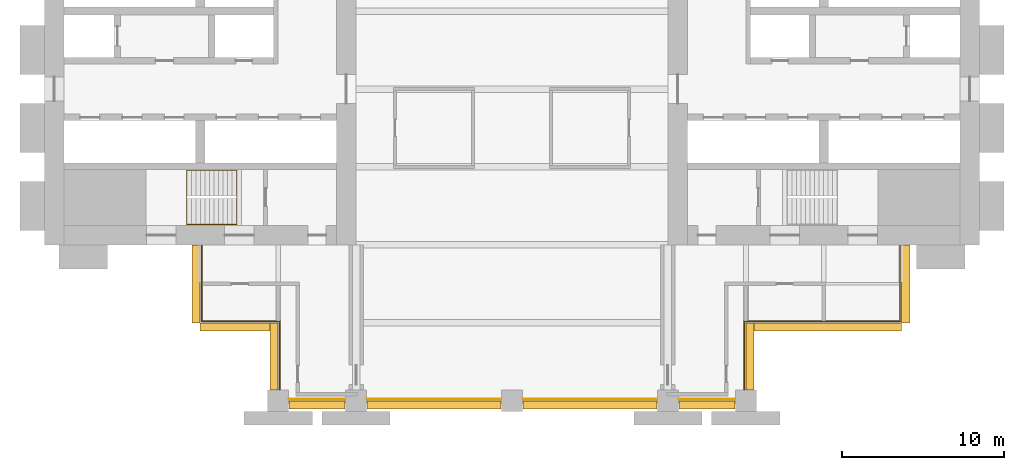
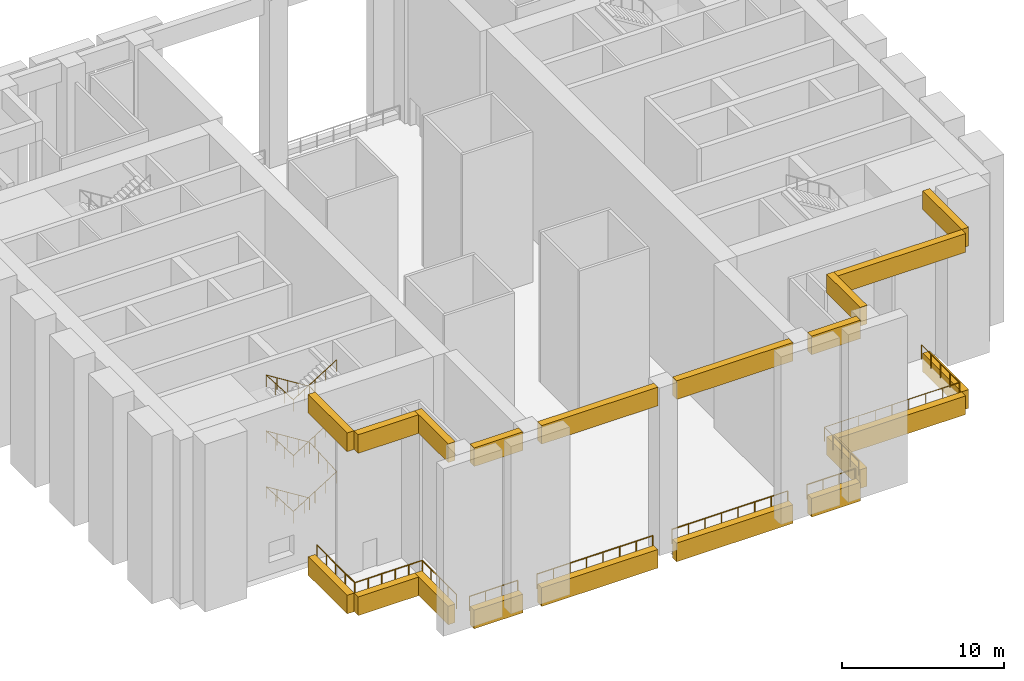
# One storey, part 8 of 10: 20 coverings, 7 railings.
"""IFC4 building model written with IfcOpenShell, lengths in metres."""

import ifcopenshell
import ifcopenshell.guid

model = None  # the IFC model being written
_history = None  # IfcOwnerHistory: only IFC2X3 demands one
_inside = {}  # id of a spatial element -> (the spatial element, [elements in it])
_under = {}  # id of a project, library or spatial element -> (it, [spatial elements below it])
_declared = {}  # id of a project -> (the project, [libraries it declares])
_typed = {}  # id of a type object -> (the type object, [elements of that type])
_made_of = {}  # id of a material, layer set ... -> (it, [elements and type objects made of it])


def new_model(schema):
    """Start an empty IFC model of exactly this schema.

    Asked for "IFC4X3", IfcOpenShell would pick the latest addendum, in which some entities
    have other attributes; the version numbers below select the first issue.
    IFC2X3 requires an IfcOwnerHistory on every rooted entity: one is made here for all.
    """
    global model, _history
    if schema == "IFC4X3":
        model = ifcopenshell.file(schema_version=(4, 3, 0, 0))
    else:
        model = ifcopenshell.file(schema=schema)
    _inside.clear()
    _under.clear()
    _declared.clear()
    _typed.clear()
    _made_of.clear()
    _history = None
    if model.schema == "IFC2X3":
        org = make("IfcOrganization", Name="unknown")
        user = make(
            "IfcPersonAndOrganization",
            ThePerson=make("IfcPerson", FamilyName="unknown"),
            TheOrganization=org,
        )
        app = make(
            "IfcApplication",
            ApplicationDeveloper=org,
            Version="unknown",
            ApplicationFullName="unknown",
            ApplicationIdentifier="unknown",
        )
        _history = make(
            "IfcOwnerHistory",
            OwningUser=user,
            OwningApplication=app,
            ChangeAction="ADDED",
            CreationDate=0,
        )
    return model


def make(cls, **values):
    """One entity of the class cls with the attributes given. An attribute that is None is left unset."""
    return model.create_entity(
        cls, **{name: value for name, value in values.items() if value is not None}
    )


def rooted(cls, **values):
    """An entity with a GlobalId (a new one), such as an element, a storey or a relation."""
    return make(cls, GlobalId=ifcopenshell.guid.new(), OwnerHistory=_history, **values)


def si_unit(unit_type, name, prefix=None):
    """IfcSIUnit, for example si_unit("LENGTHUNIT", "METRE", prefix="MILLI")."""
    return make("IfcSIUnit", UnitType=unit_type, Prefix=prefix, Name=name)


def assignment(units):
    """IfcUnitAssignment: the units of a project."""
    return None if units is None else make("IfcUnitAssignment", Units=units)


def point(xyz):
    """IfcCartesianPoint."""
    return None if xyz is None else make("IfcCartesianPoint", Coordinates=xyz)


def direction(xyz):
    """IfcDirection."""
    return None if xyz is None else make("IfcDirection", DirectionRatios=xyz)


def frame(location, z_axis=None, x_axis=None):
    """IfcAxis2Placement3D, a coordinate frame: its origin and axes. An axis left out is left unset."""
    return make(
        "IfcAxis2Placement3D",
        Location=point(location),
        Axis=direction(z_axis),
        RefDirection=direction(x_axis),
    )


def frame_2d(location, x_axis=None):
    """IfcAxis2Placement2D, a coordinate frame in the plane: its origin and x axis."""
    return make(
        "IfcAxis2Placement2D", Location=point(location), RefDirection=direction(x_axis)
    )


def origin():
    """The frame at (0, 0, 0) with its axes left unset."""
    return frame((0.0, 0.0, 0.0))


def origin_2d():
    """The frame at (0, 0) in the plane with its x axis left unset."""
    return frame_2d((0.0, 0.0))


def place(relative_to, where):
    """IfcLocalPlacement: puts the frame where relative to a parent placement (None: the world)."""
    return make(
        "IfcLocalPlacement", PlacementRelTo=relative_to, RelativePlacement=where
    )


def context(
    kind, dimensions, precision=None, world=None, true_north=None, identifier=None
):
    """IfcGeometricRepresentationContext, for example the 3D "Model" context."""
    return make(
        "IfcGeometricRepresentationContext",
        ContextIdentifier=identifier,
        ContextType=kind,
        CoordinateSpaceDimension=dimensions,
        Precision=precision,
        WorldCoordinateSystem=world,
        TrueNorth=true_north,
    )


def subcontext(parent, identifier, kind, view, scale=None):
    """IfcGeometricRepresentationSubContext, for example "Body" below "Model"."""
    return make(
        "IfcGeometricRepresentationSubContext",
        ContextIdentifier=identifier,
        ContextType=kind,
        ParentContext=parent,
        TargetScale=scale,
        TargetView=view,
    )


def project(units=None, contexts=None):
    """IfcProject with its units and contexts."""
    return rooted(
        "IfcProject",
        Name="project",
        RepresentationContexts=contexts,
        UnitsInContext=assignment(units),
    )


def spatial(cls, under=None, at=None, **own):
    """A site, building, storey or space (cls), placed at a placement, below another one or the project."""
    s = rooted(cls, ObjectPlacement=at, **own)
    if under is not None:
        _under.setdefault(under.id(), (under, []))[1].append(s)
    return s


def polyline(points):
    """IfcPolyline through the points."""
    return make("IfcPolyline", Points=[point(p) for p in points])


def profile(cls, at=None, kind="AREA", **sizes):
    """A parametric profile (cls). Its sizes go by their IFC names, for example OverallWidth=200.0."""
    return make(cls, ProfileType=kind, Position=at, **sizes)


def circle(**sizes):
    """IfcCircleProfileDef."""
    return profile("IfcCircleProfileDef", **sizes)


def outline(outer, holes=None, kind="AREA"):
    """IfcArbitraryClosedProfileDef: a profile drawn as a closed curve; with holes, ...WithVoids."""
    if holes is None:
        return make("IfcArbitraryClosedProfileDef", ProfileType=kind, OuterCurve=outer)
    return make(
        "IfcArbitraryProfileDefWithVoids",
        ProfileType=kind,
        OuterCurve=outer,
        InnerCurves=holes,
    )


def extrude(swept, where, along, depth):
    """IfcExtrudedAreaSolid: the profile swept, set in the frame where, extruded along a direction by depth."""
    return make(
        "IfcExtrudedAreaSolid",
        SweptArea=swept,
        Position=where,
        ExtrudedDirection=direction(along),
        Depth=depth,
    )


def shape(context_of_items, identifier, shape_type, items):
    """IfcShapeRepresentation: the items that make up one representation, for example the "Body"."""
    return make(
        "IfcShapeRepresentation",
        ContextOfItems=context_of_items,
        RepresentationIdentifier=identifier,
        RepresentationType=shape_type,
        Items=items,
    )


def material(Name=None, Category=None):
    """IfcMaterial."""
    return make("IfcMaterial", Name=Name, Category=Category)


def made_of(thing, what):
    """Note that an element or type object is made of a material, layer set ...; save() writes the relation."""
    if what is not None:
        _made_of.setdefault(what.id(), (what, []))[1].append(thing)
    return thing


def type_object(cls, material=None, **own):
    """A type object (cls), such as IfcWallType, which elements share."""
    return made_of(rooted(cls, **own), material)


def element(
    cls,
    number,
    at=None,
    inside=None,
    cuts=None,
    type_object=None,
    material=None,
    context=None,
    identifier="Body",
    shape_type=None,
    held_by="IfcProductDefinitionShape",
    body=None,
    shapes=None,
    **own,
):
    """One element of the class cls, such as IfcWall. Its Tag is "e" and its number.

    at: its placement. inside: the storey or other place that contains it. cuts: it is an
    opening in that element (IfcRelVoidsElement). A single representation is given by context,
    identifier, shape_type and body (its items); several are given by shapes. held_by: the class
    of the entity that holds the representations. save() writes the other relations.
    """
    e = rooted(cls, Tag="e%d" % number, ObjectPlacement=at, **own)
    if body is not None:
        shapes = [shape(context, identifier, shape_type, body)]
    if shapes is not None:
        e.Representation = make(held_by, Representations=shapes)
    if inside is not None:
        _inside.setdefault(inside.id(), (inside, []))[1].append(e)
    if cuts is not None:
        rooted(
            "IfcRelVoidsElement", RelatingBuildingElement=cuts, RelatedOpeningElement=e
        )
    if type_object is not None:
        _typed.setdefault(type_object.id(), (type_object, []))[1].append(e)
    return made_of(e, material)


def aggregate(whole, parts):
    """IfcRelAggregates: a whole, such as a stair, and the parts it consists of."""
    return rooted("IfcRelAggregates", RelatingObject=whole, RelatedObjects=parts)


def save(model, path):
    """Write the relations noted so far, then the file.

    IfcRelAggregates (storeys below a building ...), IfcRelContainedInSpatialStructure (elements
    in a storey), IfcRelDefinesByType, IfcRelAssociatesMaterial and IfcRelDeclares: one each for
    every whole, place, type object, material and project.
    """
    for whole, parts in _under.values():
        aggregate(whole, parts)
    for where, things in _inside.values():
        rooted(
            "IfcRelContainedInSpatialStructure",
            RelatedElements=things,
            RelatingStructure=where,
        )
    for kind, things in _typed.values():
        rooted("IfcRelDefinesByType", RelatedObjects=things, RelatingType=kind)
    for what, things in _made_of.values():
        rooted("IfcRelAssociatesMaterial", RelatedObjects=things, RelatingMaterial=what)
    for by, libraries in _declared.values():
        rooted("IfcRelDeclares", RelatingContext=by, RelatedDefinitions=libraries)
    model.write(path)


model = new_model("IFC4")

# Units and contexts
model_context = context("Model", 3, precision=1e-05, world=origin(), true_north=direction((0.0, 1.0)))
body_context = subcontext(model_context, "Body", "Model", "MODEL_VIEW")
ifc_project = project(units=[si_unit("LENGTHUNIT", "METRE"), si_unit("AREAUNIT", "SQUARE_METRE"), si_unit("VOLUMEUNIT", "CUBIC_METRE"), si_unit("PLANEANGLEUNIT", "RADIAN"), si_unit("MASSUNIT", "GRAM", prefix="KILO")], contexts=[model_context])

# Site, building, storey
site_placement = place(None, origin())
site = spatial("IfcSite", under=ifc_project, at=site_placement, CompositionType="ELEMENT")
building_placement = place(site_placement, origin())
building = spatial("IfcBuilding", under=site, at=building_placement, Name="Baori Bourse Tower", CompositionType="ELEMENT")
storey_placement = place(building_placement, frame((0.0, 0.0, 91.5)))
storey = spatial("IfcBuildingStorey", under=building, at=storey_placement, Name="L20", CompositionType="ELEMENT", Elevation=91.5)

# Railing
ifc_material_1 = material(Name="Powder-coated steel balustrade", Category="steel")
railing_type_1 = type_object("IfcRailingType", Name="Core stair handrail", PredefinedType="HANDRAIL", material=ifc_material_1)
railing_1_placement = place(storey_placement, frame((11.85009765625, 14.199951171875, 0.175048828125)))
element("IfcRailing", 1, at=railing_1_placement, inside=storey, type_object=railing_type_1, Name="L20 ST1 stair handrail 1", PredefinedType="HANDRAIL", context=body_context, shape_type="SweptSolid", body=[
    extrude(circle(Radius=0.02392578125, at=origin_2d()), frame((0.0, 0.0, 0.8759765625), z_axis=(-0.847998304005, 0.0, 0.529998940003), x_axis=(0.0, -1.0, 0.0)), (0.0, 0.0, 1.0), 3.632080078125),
    extrude(circle(Radius=0.02392578125, at=origin_2d()), frame((-3.080078125, 0.0, 2.80078125), z_axis=(0.0, -0.998641252765, 0.052111882296), x_axis=(1.0, 0.0, 0.0)), (0.0, 0.0, 1.0), 3.3544921875),
    extrude(circle(Radius=0.02392578125, at=origin_2d()), frame((-3.080078125, -3.349853515625, 2.9755859375), z_axis=(0.847998304005, 0.0, 0.529998940003), x_axis=(0.0, 1.0, 0.0)), (0.0, 0.0, 1.0), 3.632080078125),
    extrude(circle(Radius=0.02392578125, at=origin_2d()), frame((0.0, -3.349853515625, 4.90087890625), z_axis=(0.0, 0.99863746249, 0.052184466191), x_axis=(-1.0, 0.0, 0.0)), (0.0, 0.0, 1.0), 3.3544921875),
    extrude(circle(Radius=0.02392578125, at=origin_2d()), frame((0.0, 0.0, 5.07568359375), z_axis=(-0.847998304005, 0.0, 0.529998940003), x_axis=(0.0, -1.0, 0.0)), (0.0, 0.0, 1.0), 3.632080078125),
    extrude(circle(Radius=0.02392578125, at=origin_2d()), frame((-3.080078125, 0.0, 7.0009765625), z_axis=(0.0, -0.99863746249, 0.052184466191), x_axis=(1.0, 0.0, 0.0)), (0.0, 0.0, 1.0), 3.3544921875),
    extrude(circle(Radius=0.02392578125, at=origin_2d()), frame((-3.080078125, -3.349853515625, 7.17578125), z_axis=(0.848028513186, 0.0, 0.529950602248), x_axis=(0.0, 1.0, 0.0)), (0.0, 0.0, 1.0), 3.632080078125),
    extrude(circle(Radius=0.02392578125, at=origin_2d()), frame((0.0, -3.349853515625, 9.1005859375), z_axis=(0.0, 0.99863746249, 0.052184466191), x_axis=(-1.0, 0.0, 0.0)), (0.0, 0.0, 1.0), 3.3544921875),
    extrude(circle(Radius=0.02392578125, at=origin_2d()), frame((0.0, 0.0, 9.27587890625), z_axis=(-0.847998304005, 0.0, 0.529998940003), x_axis=(0.0, -1.0, 0.0)), (0.0, 0.0, 1.0), 3.632080078125),
    extrude(circle(Radius=0.02392578125, at=origin_2d()), frame((-3.080078125, 0.0, 11.20068359375), z_axis=(0.0, -0.99863746249, 0.052184466191), x_axis=(1.0, 0.0, 0.0)), (0.0, 0.0, 1.0), 3.3544921875),
    extrude(circle(Radius=0.02392578125, at=origin_2d()), frame((-3.080078125, -3.349853515625, 11.3759765625), z_axis=(0.847998304005, 0.0, 0.529998940003), x_axis=(0.0, 1.0, 0.0)), (0.0, 0.0, 1.0), 3.632080078125),
    extrude(circle(Radius=0.02099609375, at=origin_2d()), origin(), (0.0, 0.0, 1.0), 0.851806640625),
    extrude(circle(Radius=0.02099609375, at=origin_2d()), frame((-0.77001953125, 0.0, 0.481201171875)), (0.0, 0.0, 1.0), 0.851806640625),
    extrude(circle(Radius=0.02099609375, at=origin_2d()), frame((-1.5400390625, 0.0, 0.96240234375)), (0.0, 0.0, 1.0), 0.851806640625),
    extrude(circle(Radius=0.02099609375, at=origin_2d()), frame((-2.31005859375, 0.0, 1.44384765625)), (0.0, 0.0, 1.0), 0.851806640625),
    extrude(circle(Radius=0.02099609375, at=origin_2d()), frame((-3.080078125, 0.0, 1.925048828125)), (0.0, 0.0, 1.0), 0.851806640625),
    extrude(circle(Radius=0.02099609375, at=origin_2d()), frame((-3.080078125, -1.11669921875, 1.9833984375)), (0.0, 0.0, 1.0), 0.851806640625),
    extrude(circle(Radius=0.02099609375, at=origin_2d()), frame((-3.080078125, -2.233154296875, 2.04150390625)), (0.0, 0.0, 1.0), 0.851806640625),
    extrude(circle(Radius=0.02099609375, at=origin_2d()), frame((-3.080078125, -3.349853515625, 2.099853515625)), (0.0, 0.0, 1.0), 0.851806640625),
    extrude(circle(Radius=0.02099609375, at=origin_2d()), frame((-2.31005859375, -3.349853515625, 2.5810546875)), (0.0, 0.0, 1.0), 0.851806640625),
    extrude(circle(Radius=0.02099609375, at=origin_2d()), frame((-1.5400390625, -3.349853515625, 3.0625)), (0.0, 0.0, 1.0), 0.851806640625),
    extrude(circle(Radius=0.02099609375, at=origin_2d()), frame((-0.77001953125, -3.349853515625, 3.543701171875)), (0.0, 0.0, 1.0), 0.851806640625),
    extrude(circle(Radius=0.02099609375, at=origin_2d()), frame((0.0, -3.349853515625, 4.02490234375)), (0.0, 0.0, 1.0), 0.851806640625),
    extrude(circle(Radius=0.02099609375, at=origin_2d()), frame((0.0, -2.233154296875, 4.083251953125)), (0.0, 0.0, 1.0), 0.851806640625),
    extrude(circle(Radius=0.02099609375, at=origin_2d()), frame((0.0, -1.11669921875, 4.1416015625)), (0.0, 0.0, 1.0), 0.851806640625),
    extrude(circle(Radius=0.02099609375, at=origin_2d()), frame((0.0, 0.0, 4.199951171875)), (0.0, 0.0, 1.0), 0.851806640625),
    extrude(circle(Radius=0.02099609375, at=origin_2d()), frame((-0.77001953125, 0.0, 4.68115234375)), (0.0, 0.0, 1.0), 0.851806640625),
    extrude(circle(Radius=0.02099609375, at=origin_2d()), frame((-1.5400390625, 0.0, 5.16259765625)), (0.0, 0.0, 1.0), 0.851806640625),
    extrude(circle(Radius=0.02099609375, at=origin_2d()), frame((-2.31005859375, 0.0, 5.643798828125)), (0.0, 0.0, 1.0), 0.851806640625),
    extrude(circle(Radius=0.02099609375, at=origin_2d()), frame((-3.080078125, 0.0, 6.125)), (0.0, 0.0, 1.0), 0.851806640625),
    extrude(circle(Radius=0.02099609375, at=origin_2d()), frame((-3.080078125, -1.11669921875, 6.183349609375)), (0.0, 0.0, 1.0), 0.851806640625),
    extrude(circle(Radius=0.02099609375, at=origin_2d()), frame((-3.080078125, -2.233154296875, 6.24169921875)), (0.0, 0.0, 1.0), 0.851806640625),
    extrude(circle(Radius=0.02099609375, at=origin_2d()), frame((-3.080078125, -3.349853515625, 6.300048828125)), (0.0, 0.0, 1.0), 0.851806640625),
    extrude(circle(Radius=0.02099609375, at=origin_2d()), frame((-2.31005859375, -3.349853515625, 6.78125)), (0.0, 0.0, 1.0), 0.851806640625),
    extrude(circle(Radius=0.02099609375, at=origin_2d()), frame((-1.5400390625, -3.349853515625, 7.262451171875)), (0.0, 0.0, 1.0), 0.851806640625),
    extrude(circle(Radius=0.02099609375, at=origin_2d()), frame((-0.77001953125, -3.349853515625, 7.74365234375)), (0.0, 0.0, 1.0), 0.851806640625),
    extrude(circle(Radius=0.02099609375, at=origin_2d()), frame((0.0, -3.349853515625, 8.224853515625)), (0.0, 0.0, 1.0), 0.851806640625),
    extrude(circle(Radius=0.02099609375, at=origin_2d()), frame((0.0, -2.233154296875, 8.283203125)), (0.0, 0.0, 1.0), 0.851806640625),
    extrude(circle(Radius=0.02099609375, at=origin_2d()), frame((0.0, -1.11669921875, 8.341552734375)), (0.0, 0.0, 1.0), 0.851806640625),
    extrude(circle(Radius=0.02099609375, at=origin_2d()), frame((0.0, 0.0, 8.39990234375)), (0.0, 0.0, 1.0), 0.851806640625),
    extrude(circle(Radius=0.02099609375, at=origin_2d()), frame((-0.77001953125, 0.0, 8.881103515625)), (0.0, 0.0, 1.0), 0.851806640625),
    extrude(circle(Radius=0.02099609375, at=origin_2d()), frame((-1.5400390625, 0.0, 9.3623046875)), (0.0, 0.0, 1.0), 0.851806640625),
    extrude(circle(Radius=0.02099609375, at=origin_2d()), frame((-2.31005859375, 0.0, 9.84375)), (0.0, 0.0, 1.0), 0.851806640625),
    extrude(circle(Radius=0.02099609375, at=origin_2d()), frame((-3.080078125, 0.0, 10.324951171875)), (0.0, 0.0, 1.0), 0.851806640625),
    extrude(circle(Radius=0.02099609375, at=origin_2d()), frame((-3.080078125, -1.11669921875, 10.38330078125)), (0.0, 0.0, 1.0), 0.851806640625),
    extrude(circle(Radius=0.02099609375, at=origin_2d()), frame((-3.080078125, -2.233154296875, 10.441650390625)), (0.0, 0.0, 1.0), 0.851806640625),
    extrude(circle(Radius=0.02099609375, at=origin_2d()), frame((-3.080078125, -3.349853515625, 10.5)), (0.0, 0.0, 1.0), 0.851806640625),
    extrude(circle(Radius=0.02099609375, at=origin_2d()), frame((-2.31005859375, -3.349853515625, 10.981201171875)), (0.0, 0.0, 1.0), 0.851806640625),
    extrude(circle(Radius=0.02099609375, at=origin_2d()), frame((-1.5400390625, -3.349853515625, 11.46240234375)), (0.0, 0.0, 1.0), 0.851806640625),
    extrude(circle(Radius=0.02099609375, at=origin_2d()), frame((-0.77001953125, -3.349853515625, 11.94384765625)), (0.0, 0.0, 1.0), 0.851806640625),
    extrude(circle(Radius=0.02099609375, at=origin_2d()), frame((0.0, -3.349853515625, 12.425048828125)), (0.0, 0.0, 1.0), 0.851806640625),
])

# Coverings
ifc_material_2 = material(Name="Pale anodised aluminium", Category="aluminium")
covering_type = type_object("IfcCoveringType", Name="ED2 Portal fascia band", PredefinedType="CLADDING", material=ifc_material_2)
covering_1_placement = place(storey_placement, frame((0.0, 0.0, -1.0)))
element("IfcCovering", 2, at=covering_1_placement, inside=storey, type_object=covering_type, Name="Portal fascia band deck L20 23", PredefinedType="CLADDING", context=body_context, shape_type="SweptSolid", body=[
    extrude(outline(polyline([(9.60009765625, 4.800048828125), (9.60009765625, 9.60009765625), (9.10009765625, 9.60009765625), (9.10009765625, 4.800048828125), (9.60009765625, 4.800048828125)])), origin(), (0.0, 0.0, 1.0), 1.39990234375),
])
covering_2_placement = place(storey_placement, frame((0.0, 0.0, 11.199951171875)))
element("IfcCovering", 3, at=covering_2_placement, inside=storey, type_object=covering_type, Name="Portal fascia band head L20 24", PredefinedType="CLADDING", context=body_context, shape_type="SweptSolid", body=[
    extrude(outline(polyline([(9.60009765625, 4.800048828125), (9.60009765625, 9.60009765625), (9.10009765625, 9.60009765625), (9.10009765625, 4.800048828125), (9.60009765625, 4.800048828125)])), origin(), (0.0, 0.0, 1.0), 1.400146484375),
])
covering_3_placement = place(storey_placement, frame((0.0, 0.0, -1.0)))
element("IfcCovering", 4, at=covering_3_placement, inside=storey, type_object=covering_type, Name="Portal fascia band deck L20 25", PredefinedType="CLADDING", context=body_context, shape_type="SweptSolid", body=[
    extrude(outline(polyline([(14.39990234375, 4.800048828125), (9.60009765625, 4.800048828125), (9.60009765625, 4.300048828125), (14.39990234375, 4.300048828125), (14.39990234375, 4.800048828125)])), origin(), (0.0, 0.0, 1.0), 1.39990234375),
])
covering_4_placement = place(storey_placement, frame((0.0, 0.0, 11.199951171875)))
element("IfcCovering", 5, at=covering_4_placement, inside=storey, type_object=covering_type, Name="Portal fascia band head L20 26", PredefinedType="CLADDING", context=body_context, shape_type="SweptSolid", body=[
    extrude(outline(polyline([(14.39990234375, 4.800048828125), (9.60009765625, 4.800048828125), (9.60009765625, 4.300048828125), (14.39990234375, 4.300048828125), (14.39990234375, 4.800048828125)])), origin(), (0.0, 0.0, 1.0), 1.400146484375),
])
covering_5_placement = place(storey_placement, frame((0.0, 0.0, -1.0)))
element("IfcCovering", 6, at=covering_5_placement, inside=storey, type_object=covering_type, Name="Portal fascia band deck L20 27", PredefinedType="CLADDING", context=body_context, shape_type="SweptSolid", body=[
    extrude(outline(polyline([(14.39990234375, 0.669921875), (14.39990234375, 4.800048828125), (13.89990234375, 4.800048828125), (13.89990234375, 0.669921875), (14.39990234375, 0.669921875)])), origin(), (0.0, 0.0, 1.0), 1.39990234375),
])
covering_6_placement = place(storey_placement, frame((0.0, 0.0, 11.199951171875)))
element("IfcCovering", 7, at=covering_6_placement, inside=storey, type_object=covering_type, Name="Portal fascia band head L20 28", PredefinedType="CLADDING", context=body_context, shape_type="SweptSolid", body=[
    extrude(outline(polyline([(14.39990234375, 0.669921875), (14.39990234375, 4.800048828125), (13.89990234375, 4.800048828125), (13.89990234375, 0.669921875), (14.39990234375, 0.669921875)])), origin(), (0.0, 0.0, 1.0), 1.400146484375),
])
covering_7_placement = place(storey_placement, frame((0.0, 0.0, -1.0)))
element("IfcCovering", 8, at=covering_7_placement, inside=storey, type_object=covering_type, Name="Portal fascia band deck L20 29", PredefinedType="CLADDING", context=body_context, shape_type="SweptSolid", body=[
    extrude(outline(polyline([(18.530029296875, 0.0), (15.070068359375, 0.0), (15.070068359375, -0.5), (18.530029296875, -0.5), (18.530029296875, 0.0)])), origin(), (0.0, 0.0, 1.0), 1.39990234375),
])
covering_8_placement = place(storey_placement, frame((0.0, 0.0, 11.199951171875)))
element("IfcCovering", 9, at=covering_8_placement, inside=storey, type_object=covering_type, Name="Portal fascia band head L20 30", PredefinedType="CLADDING", context=body_context, shape_type="SweptSolid", body=[
    extrude(outline(polyline([(18.530029296875, 0.0), (15.070068359375, 0.0), (15.070068359375, -0.5), (18.530029296875, -0.5), (18.530029296875, 0.0)])), origin(), (0.0, 0.0, 1.0), 1.400146484375),
])
covering_9_placement = place(storey_placement, frame((0.0, 0.0, -1.0)))
element("IfcCovering", 10, at=covering_9_placement, inside=storey, type_object=covering_type, Name="Portal fascia band deck L20 31", PredefinedType="CLADDING", context=body_context, shape_type="SweptSolid", body=[
    extrude(outline(polyline([(28.1298828125, 0.0), (19.8701171875, 0.0), (19.8701171875, -0.5), (28.1298828125, -0.5), (28.1298828125, 0.0)])), origin(), (0.0, 0.0, 1.0), 1.39990234375),
])
covering_10_placement = place(storey_placement, frame((0.0, 0.0, 11.199951171875)))
element("IfcCovering", 11, at=covering_10_placement, inside=storey, type_object=covering_type, Name="Portal fascia band head L20 32", PredefinedType="CLADDING", context=body_context, shape_type="SweptSolid", body=[
    extrude(outline(polyline([(28.1298828125, 0.0), (19.8701171875, 0.0), (19.8701171875, -0.5), (28.1298828125, -0.5), (28.1298828125, 0.0)])), origin(), (0.0, 0.0, 1.0), 1.400146484375),
])
covering_11_placement = place(storey_placement, frame((0.0, 0.0, -1.0)))
element("IfcCovering", 12, at=covering_11_placement, inside=storey, type_object=covering_type, Name="Portal fascia band deck L20 33", PredefinedType="CLADDING", context=body_context, shape_type="SweptSolid", body=[
    extrude(outline(polyline([(37.72998046875, 0.0), (29.469970703125, 0.0), (29.469970703125, -0.5), (37.72998046875, -0.5), (37.72998046875, 0.0)])), origin(), (0.0, 0.0, 1.0), 1.39990234375),
])
covering_12_placement = place(storey_placement, frame((0.0, 0.0, 11.199951171875)))
element("IfcCovering", 13, at=covering_12_placement, inside=storey, type_object=covering_type, Name="Portal fascia band head L20 34", PredefinedType="CLADDING", context=body_context, shape_type="SweptSolid", body=[
    extrude(outline(polyline([(37.72998046875, 0.0), (29.469970703125, 0.0), (29.469970703125, -0.5), (37.72998046875, -0.5), (37.72998046875, 0.0)])), origin(), (0.0, 0.0, 1.0), 1.400146484375),
])
covering_13_placement = place(storey_placement, frame((0.0, 0.0, -1.0)))
element("IfcCovering", 14, at=covering_13_placement, inside=storey, type_object=covering_type, Name="Portal fascia band deck L20 35", PredefinedType="CLADDING", context=body_context, shape_type="SweptSolid", body=[
    extrude(outline(polyline([(42.530029296875, 0.0), (39.070068359375, 0.0), (39.070068359375, -0.5), (42.530029296875, -0.5), (42.530029296875, 0.0)])), origin(), (0.0, 0.0, 1.0), 1.39990234375),
])
covering_14_placement = place(storey_placement, frame((0.0, 0.0, 11.199951171875)))
element("IfcCovering", 15, at=covering_14_placement, inside=storey, type_object=covering_type, Name="Portal fascia band head L20 36", PredefinedType="CLADDING", context=body_context, shape_type="SweptSolid", body=[
    extrude(outline(polyline([(42.530029296875, 0.0), (39.070068359375, 0.0), (39.070068359375, -0.5), (42.530029296875, -0.5), (42.530029296875, 0.0)])), origin(), (0.0, 0.0, 1.0), 1.400146484375),
])
covering_15_placement = place(storey_placement, frame((0.0, 0.0, -1.0)))
element("IfcCovering", 16, at=covering_15_placement, inside=storey, type_object=covering_type, Name="Portal fascia band deck L20 37", PredefinedType="CLADDING", context=body_context, shape_type="SweptSolid", body=[
    extrude(outline(polyline([(43.199951171875, 4.800048828125), (43.199951171875, 0.669921875), (43.699951171875, 0.669921875), (43.699951171875, 4.800048828125), (43.199951171875, 4.800048828125)])), origin(), (0.0, 0.0, 1.0), 1.39990234375),
])
covering_16_placement = place(storey_placement, frame((0.0, 0.0, 11.199951171875)))
element("IfcCovering", 17, at=covering_16_placement, inside=storey, type_object=covering_type, Name="Portal fascia band head L20 38", PredefinedType="CLADDING", context=body_context, shape_type="SweptSolid", body=[
    extrude(outline(polyline([(43.199951171875, 4.800048828125), (43.199951171875, 0.669921875), (43.699951171875, 0.669921875), (43.699951171875, 4.800048828125), (43.199951171875, 4.800048828125)])), origin(), (0.0, 0.0, 1.0), 1.400146484375),
])
covering_17_placement = place(storey_placement, frame((0.0, 0.0, -1.0)))
element("IfcCovering", 18, at=covering_17_placement, inside=storey, type_object=covering_type, Name="Portal fascia band deck L20 39", PredefinedType="CLADDING", context=body_context, shape_type="SweptSolid", body=[
    extrude(outline(polyline([(52.800048828125, 4.800048828125), (43.199951171875, 4.800048828125), (43.199951171875, 4.300048828125), (52.800048828125, 4.300048828125), (52.800048828125, 4.800048828125)])), origin(), (0.0, 0.0, 1.0), 1.39990234375),
])
covering_18_placement = place(storey_placement, frame((0.0, 0.0, 11.199951171875)))
element("IfcCovering", 19, at=covering_18_placement, inside=storey, type_object=covering_type, Name="Portal fascia band head L20 40", PredefinedType="CLADDING", context=body_context, shape_type="SweptSolid", body=[
    extrude(outline(polyline([(52.800048828125, 4.800048828125), (43.199951171875, 4.800048828125), (43.199951171875, 4.300048828125), (52.800048828125, 4.300048828125), (52.800048828125, 4.800048828125)])), origin(), (0.0, 0.0, 1.0), 1.400146484375),
])
covering_19_placement = place(storey_placement, frame((0.0, 0.0, -1.0)))
element("IfcCovering", 20, at=covering_19_placement, inside=storey, type_object=covering_type, Name="Portal fascia band deck L20 41", PredefinedType="CLADDING", context=body_context, shape_type="SweptSolid", body=[
    extrude(outline(polyline([(52.800048828125, 9.60009765625), (52.800048828125, 4.800048828125), (53.300048828125, 4.800048828125), (53.300048828125, 9.60009765625), (52.800048828125, 9.60009765625)])), origin(), (0.0, 0.0, 1.0), 1.39990234375),
])
covering_20_placement = place(storey_placement, frame((0.0, 0.0, 11.199951171875)))
element("IfcCovering", 21, at=covering_20_placement, inside=storey, type_object=covering_type, Name="Portal fascia band head L20 42", PredefinedType="CLADDING", context=body_context, shape_type="SweptSolid", body=[
    extrude(outline(polyline([(52.800048828125, 9.60009765625), (52.800048828125, 4.800048828125), (53.300048828125, 4.800048828125), (53.300048828125, 9.60009765625), (52.800048828125, 9.60009765625)])), origin(), (0.0, 0.0, 1.0), 1.400146484375),
])

# Railings
ifc_material_3 = material(Name="Stainless steel", Category="steel")
railing_type_2 = type_object("IfcRailingType", Name="GD1 Guard", PredefinedType="GUARDRAIL", material=ifc_material_3)
railing_2_placement = place(storey_placement, frame((9.699951171875, 9.570068359375, 0.0)))
element("IfcRailing", 22, at=railing_2_placement, inside=storey, type_object=railing_type_2, Name="Guard sky deck L20 8", PredefinedType="GUARDRAIL", context=body_context, shape_type="SweptSolid", body=[
    extrude(circle(Radius=0.02392578125, at=origin_2d()), frame((0.0, 0.0, 1.076171875), z_axis=(0.0, -1.0, 0.0), x_axis=(1.0, 0.0, 0.0)), (0.0, 0.0, 1.0), 4.670166015625),
    extrude(circle(Radius=0.02392578125, at=origin_2d()), frame((0.0, -4.670166015625, 1.076171875), z_axis=(1.0, 0.0, 0.0), x_axis=(0.0, 1.0, 0.0)), (0.0, 0.0, 1.0), 4.800048828125),
    extrude(circle(Radius=0.02392578125, at=origin_2d()), frame((4.800048828125, -4.670166015625, 1.076171875), z_axis=(0.0, -1.0, 0.0), x_axis=(1.0, 0.0, 0.0)), (0.0, 0.0, 1.0), 4.219970703125),
    extrude(circle(Radius=0.02099609375, at=origin_2d()), origin(), (0.0, 0.0, 1.0), 1.052001953125),
    extrude(circle(Radius=0.02099609375, at=origin_2d()), frame((0.0, -1.16748046875, 0.0)), (0.0, 0.0, 1.0), 1.052001953125),
    extrude(circle(Radius=0.02099609375, at=origin_2d()), frame((0.0, -2.3349609375, 0.0)), (0.0, 0.0, 1.0), 1.052001953125),
    extrude(circle(Radius=0.02099609375, at=origin_2d()), frame((0.0, -3.502685546875, 0.0)), (0.0, 0.0, 1.0), 1.052001953125),
    extrude(circle(Radius=0.02099609375, at=origin_2d()), frame((0.0, -4.670166015625, 0.0)), (0.0, 0.0, 1.0), 1.052001953125),
    extrude(circle(Radius=0.02099609375, at=origin_2d()), frame((0.9599609375, -4.670166015625, 0.0)), (0.0, 0.0, 1.0), 1.052001953125),
    extrude(circle(Radius=0.02099609375, at=origin_2d()), frame((1.919921875, -4.670166015625, 0.0)), (0.0, 0.0, 1.0), 1.052001953125),
    extrude(circle(Radius=0.02099609375, at=origin_2d()), frame((2.880126953125, -4.670166015625, 0.0)), (0.0, 0.0, 1.0), 1.052001953125),
    extrude(circle(Radius=0.02099609375, at=origin_2d()), frame((3.840087890625, -4.670166015625, 0.0)), (0.0, 0.0, 1.0), 1.052001953125),
    extrude(circle(Radius=0.02099609375, at=origin_2d()), frame((4.800048828125, -4.670166015625, 0.0)), (0.0, 0.0, 1.0), 1.052001953125),
    extrude(circle(Radius=0.02099609375, at=origin_2d()), frame((4.800048828125, -5.72509765625, 0.0)), (0.0, 0.0, 1.0), 1.052001953125),
    extrude(circle(Radius=0.02099609375, at=origin_2d()), frame((4.800048828125, -6.7802734375, 0.0)), (0.0, 0.0, 1.0), 1.052001953125),
    extrude(circle(Radius=0.02099609375, at=origin_2d()), frame((4.800048828125, -7.835205078125, 0.0)), (0.0, 0.0, 1.0), 1.052001953125),
    extrude(circle(Radius=0.02099609375, at=origin_2d()), frame((4.800048828125, -8.89013671875, 0.0)), (0.0, 0.0, 1.0), 1.052001953125),
])
railing_3_placement = place(storey_placement, frame((15.080078125, 0.10009765625, 0.0)))
element("IfcRailing", 23, at=railing_3_placement, inside=storey, type_object=railing_type_2, Name="Guard sky deck L20 9", PredefinedType="GUARDRAIL", context=body_context, shape_type="SweptSolid", body=[
    extrude(circle(Radius=0.02392578125, at=origin_2d()), frame((0.0, 0.0, 1.076171875), z_axis=(1.0, 0.0, 0.0), x_axis=(0.0, 1.0, 0.0)), (0.0, 0.0, 1.0), 3.43994140625),
    extrude(circle(Radius=0.02099609375, at=origin_2d()), origin(), (0.0, 0.0, 1.0), 1.052001953125),
    extrude(circle(Radius=0.02099609375, at=origin_2d()), frame((1.146728515625, 0.0, 0.0)), (0.0, 0.0, 1.0), 1.052001953125),
    extrude(circle(Radius=0.02099609375, at=origin_2d()), frame((2.293212890625, 0.0, 0.0)), (0.0, 0.0, 1.0), 1.052001953125),
    extrude(circle(Radius=0.02099609375, at=origin_2d()), frame((3.43994140625, 0.0, 0.0)), (0.0, 0.0, 1.0), 1.052001953125),
])
railing_4_placement = place(storey_placement, frame((19.8798828125, 0.10009765625, 0.0)))
element("IfcRailing", 24, at=railing_4_placement, inside=storey, type_object=railing_type_2, Name="Guard sky deck L20 10", PredefinedType="GUARDRAIL", context=body_context, shape_type="SweptSolid", body=[
    extrude(circle(Radius=0.02392578125, at=origin_2d()), frame((0.0, 0.0, 1.076171875), z_axis=(1.0, 0.0, 0.0), x_axis=(0.0, 1.0, 0.0)), (0.0, 0.0, 1.0), 8.240234375),
    extrude(circle(Radius=0.02099609375, at=origin_2d()), origin(), (0.0, 0.0, 1.0), 1.052001953125),
    extrude(circle(Radius=0.02099609375, at=origin_2d()), frame((1.17724609375, 0.0, 0.0)), (0.0, 0.0, 1.0), 1.052001953125),
    extrude(circle(Radius=0.02099609375, at=origin_2d()), frame((2.354248046875, 0.0, 0.0)), (0.0, 0.0, 1.0), 1.052001953125),
    extrude(circle(Radius=0.02099609375, at=origin_2d()), frame((3.531494140625, 0.0, 0.0)), (0.0, 0.0, 1.0), 1.052001953125),
    extrude(circle(Radius=0.02099609375, at=origin_2d()), frame((4.708740234375, 0.0, 0.0)), (0.0, 0.0, 1.0), 1.052001953125),
    extrude(circle(Radius=0.02099609375, at=origin_2d()), frame((5.885986328125, 0.0, 0.0)), (0.0, 0.0, 1.0), 1.052001953125),
    extrude(circle(Radius=0.02099609375, at=origin_2d()), frame((7.06298828125, 0.0, 0.0)), (0.0, 0.0, 1.0), 1.052001953125),
    extrude(circle(Radius=0.02099609375, at=origin_2d()), frame((8.240234375, 0.0, 0.0)), (0.0, 0.0, 1.0), 1.052001953125),
])
railing_5_placement = place(storey_placement, frame((29.47998046875, 0.10009765625, 0.0)))
element("IfcRailing", 25, at=railing_5_placement, inside=storey, type_object=railing_type_2, Name="Guard sky deck L20 11", PredefinedType="GUARDRAIL", context=body_context, shape_type="SweptSolid", body=[
    extrude(circle(Radius=0.02392578125, at=origin_2d()), frame((0.0, 0.0, 1.076171875), z_axis=(1.0, 0.0, 0.0), x_axis=(0.0, 1.0, 0.0)), (0.0, 0.0, 1.0), 8.239990234375),
    extrude(circle(Radius=0.02099609375, at=origin_2d()), origin(), (0.0, 0.0, 1.0), 1.052001953125),
    extrude(circle(Radius=0.02099609375, at=origin_2d()), frame((1.17724609375, 0.0, 0.0)), (0.0, 0.0, 1.0), 1.052001953125),
    extrude(circle(Radius=0.02099609375, at=origin_2d()), frame((2.354248046875, 0.0, 0.0)), (0.0, 0.0, 1.0), 1.052001953125),
    extrude(circle(Radius=0.02099609375, at=origin_2d()), frame((3.531494140625, 0.0, 0.0)), (0.0, 0.0, 1.0), 1.052001953125),
    extrude(circle(Radius=0.02099609375, at=origin_2d()), frame((4.70849609375, 0.0, 0.0)), (0.0, 0.0, 1.0), 1.052001953125),
    extrude(circle(Radius=0.02099609375, at=origin_2d()), frame((5.8857421875, 0.0, 0.0)), (0.0, 0.0, 1.0), 1.052001953125),
    extrude(circle(Radius=0.02099609375, at=origin_2d()), frame((7.062744140625, 0.0, 0.0)), (0.0, 0.0, 1.0), 1.052001953125),
    extrude(circle(Radius=0.02099609375, at=origin_2d()), frame((8.239990234375, 0.0, 0.0)), (0.0, 0.0, 1.0), 1.052001953125),
])
railing_6_placement = place(storey_placement, frame((39.080078125, 0.10009765625, 0.0)))
element("IfcRailing", 26, at=railing_6_placement, inside=storey, type_object=railing_type_2, Name="Guard sky deck L20 12", PredefinedType="GUARDRAIL", context=body_context, shape_type="SweptSolid", body=[
    extrude(circle(Radius=0.02392578125, at=origin_2d()), frame((0.0, 0.0, 1.076171875), z_axis=(1.0, 0.0, 0.0), x_axis=(0.0, 1.0, 0.0)), (0.0, 0.0, 1.0), 3.43994140625),
    extrude(circle(Radius=0.02099609375, at=origin_2d()), origin(), (0.0, 0.0, 1.0), 1.052001953125),
    extrude(circle(Radius=0.02099609375, at=origin_2d()), frame((1.146728515625, 0.0, 0.0)), (0.0, 0.0, 1.0), 1.052001953125),
    extrude(circle(Radius=0.02099609375, at=origin_2d()), frame((2.293212890625, 0.0, 0.0)), (0.0, 0.0, 1.0), 1.052001953125),
    extrude(circle(Radius=0.02099609375, at=origin_2d()), frame((3.43994140625, 0.0, 0.0)), (0.0, 0.0, 1.0), 1.052001953125),
])
railing_7_placement = place(storey_placement, frame((43.10009765625, 0.679931640625, 0.0)))
element("IfcRailing", 27, at=railing_7_placement, inside=storey, type_object=railing_type_2, Name="Guard sky deck L20 13", PredefinedType="GUARDRAIL", context=body_context, shape_type="SweptSolid", body=[
    extrude(circle(Radius=0.02392578125, at=origin_2d()), frame((0.0, 0.0, 1.076171875), z_axis=(0.0, 1.0, 0.0), x_axis=(-1.0, 0.0, 0.0)), (0.0, 0.0, 1.0), 4.219970703125),
    extrude(circle(Radius=0.02392578125, at=origin_2d()), frame((0.0, 4.219970703125, 1.076171875), z_axis=(1.0, 0.0, 0.0), x_axis=(0.0, 1.0, 0.0)), (0.0, 0.0, 1.0), 9.599853515625),
    extrude(circle(Radius=0.02392578125, at=origin_2d()), frame((9.599853515625, 4.219970703125, 1.076171875), z_axis=(0.0, 1.0, 0.0), x_axis=(-1.0, 0.0, 0.0)), (0.0, 0.0, 1.0), 4.670166015625),
    extrude(circle(Radius=0.02099609375, at=origin_2d()), origin(), (0.0, 0.0, 1.0), 1.052001953125),
    extrude(circle(Radius=0.02099609375, at=origin_2d()), frame((0.0, 1.054931640625, 0.0)), (0.0, 0.0, 1.0), 1.052001953125),
    extrude(circle(Radius=0.02099609375, at=origin_2d()), frame((0.0, 2.10986328125, 0.0)), (0.0, 0.0, 1.0), 1.052001953125),
    extrude(circle(Radius=0.02099609375, at=origin_2d()), frame((0.0, 3.1650390625, 0.0)), (0.0, 0.0, 1.0), 1.052001953125),
    extrude(circle(Radius=0.02099609375, at=origin_2d()), frame((0.0, 4.219970703125, 0.0)), (0.0, 0.0, 1.0), 1.052001953125),
    extrude(circle(Radius=0.02099609375, at=origin_2d()), frame((1.199951171875, 4.219970703125, 0.0)), (0.0, 0.0, 1.0), 1.052001953125),
    extrude(circle(Radius=0.02099609375, at=origin_2d()), frame((2.39990234375, 4.219970703125, 0.0)), (0.0, 0.0, 1.0), 1.052001953125),
    extrude(circle(Radius=0.02099609375, at=origin_2d()), frame((3.599853515625, 4.219970703125, 0.0)), (0.0, 0.0, 1.0), 1.052001953125),
    extrude(circle(Radius=0.02099609375, at=origin_2d()), frame((4.7998046875, 4.219970703125, 0.0)), (0.0, 0.0, 1.0), 1.052001953125),
    extrude(circle(Radius=0.02099609375, at=origin_2d()), frame((6.0, 4.219970703125, 0.0)), (0.0, 0.0, 1.0), 1.052001953125),
    extrude(circle(Radius=0.02099609375, at=origin_2d()), frame((7.199951171875, 4.219970703125, 0.0)), (0.0, 0.0, 1.0), 1.052001953125),
    extrude(circle(Radius=0.02099609375, at=origin_2d()), frame((8.39990234375, 4.219970703125, 0.0)), (0.0, 0.0, 1.0), 1.052001953125),
    extrude(circle(Radius=0.02099609375, at=origin_2d()), frame((9.599853515625, 4.219970703125, 0.0)), (0.0, 0.0, 1.0), 1.052001953125),
    extrude(circle(Radius=0.02099609375, at=origin_2d()), frame((9.599853515625, 5.387451171875, 0.0)), (0.0, 0.0, 1.0), 1.052001953125),
    extrude(circle(Radius=0.02099609375, at=origin_2d()), frame((9.599853515625, 6.55517578125, 0.0)), (0.0, 0.0, 1.0), 1.052001953125),
    extrude(circle(Radius=0.02099609375, at=origin_2d()), frame((9.599853515625, 7.72265625, 0.0)), (0.0, 0.0, 1.0), 1.052001953125),
    extrude(circle(Radius=0.02099609375, at=origin_2d()), frame((9.599853515625, 8.89013671875, 0.0)), (0.0, 0.0, 1.0), 1.052001953125),
])

save(model, "model.ifc")
